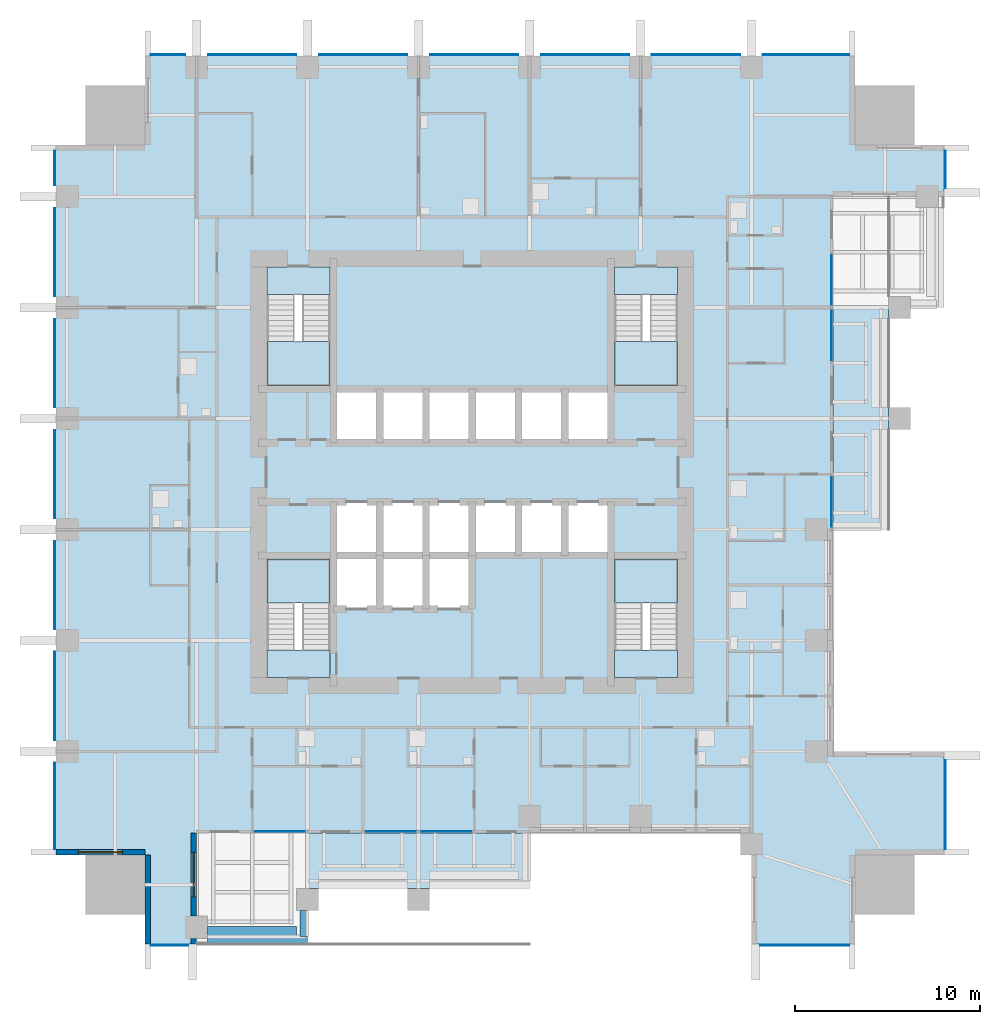
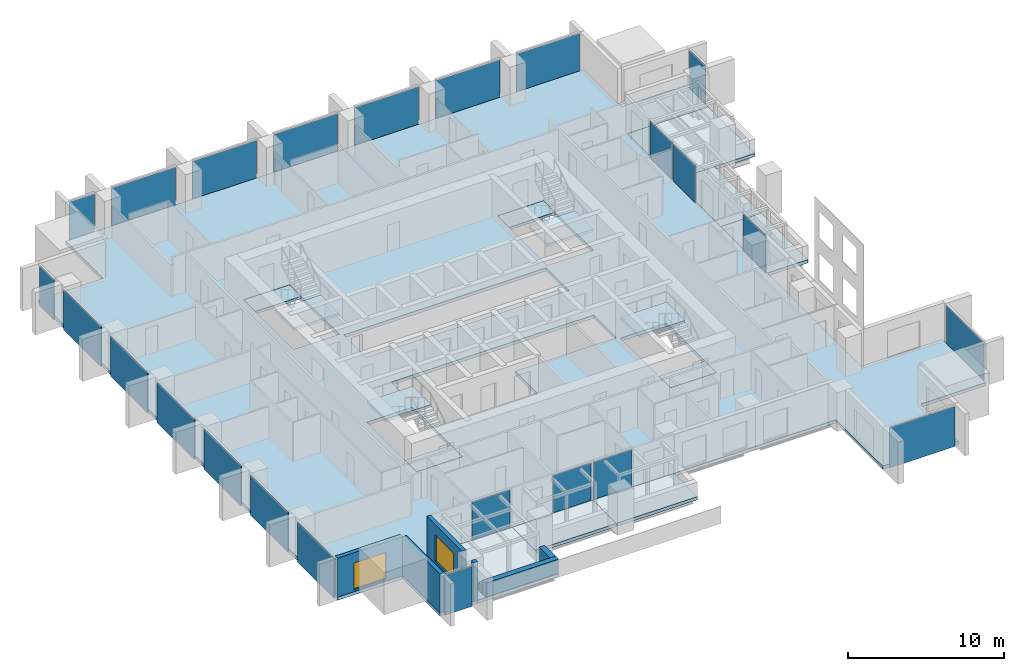
# One storey, part 6 of 15: 24 plates, 15 slabs, 7 walls, 2 windows, 2 openings, 16 elements without a shape of their own.
"""IFC4 building model written with IfcOpenShell, lengths in metres."""

import ifcopenshell
import ifcopenshell.guid

model = None  # the IFC model being written
_history = None  # IfcOwnerHistory: only IFC2X3 demands one
_inside = {}  # id of a spatial element -> (the spatial element, [elements in it])
_under = {}  # id of a project, library or spatial element -> (it, [spatial elements below it])
_declared = {}  # id of a project -> (the project, [libraries it declares])
_typed = {}  # id of a type object -> (the type object, [elements of that type])
_made_of = {}  # id of a material, layer set ... -> (it, [elements and type objects made of it])


def new_model(schema):
    """Start an empty IFC model of exactly this schema.

    Asked for "IFC4X3", IfcOpenShell would pick the latest addendum, in which some entities
    have other attributes; the version numbers below select the first issue.
    IFC2X3 requires an IfcOwnerHistory on every rooted entity: one is made here for all.
    """
    global model, _history
    if schema == "IFC4X3":
        model = ifcopenshell.file(schema_version=(4, 3, 0, 0))
    else:
        model = ifcopenshell.file(schema=schema)
    _inside.clear()
    _under.clear()
    _declared.clear()
    _typed.clear()
    _made_of.clear()
    _history = None
    if model.schema == "IFC2X3":
        org = make("IfcOrganization", Name="unknown")
        user = make(
            "IfcPersonAndOrganization",
            ThePerson=make("IfcPerson", FamilyName="unknown"),
            TheOrganization=org,
        )
        app = make(
            "IfcApplication",
            ApplicationDeveloper=org,
            Version="unknown",
            ApplicationFullName="unknown",
            ApplicationIdentifier="unknown",
        )
        _history = make(
            "IfcOwnerHistory",
            OwningUser=user,
            OwningApplication=app,
            ChangeAction="ADDED",
            CreationDate=0,
        )
    return model


def make(cls, **values):
    """One entity of the class cls with the attributes given. An attribute that is None is left unset."""
    return model.create_entity(
        cls, **{name: value for name, value in values.items() if value is not None}
    )


def rooted(cls, **values):
    """An entity with a GlobalId (a new one), such as an element, a storey or a relation."""
    return make(cls, GlobalId=ifcopenshell.guid.new(), OwnerHistory=_history, **values)


def si_unit(unit_type, name, prefix=None):
    """IfcSIUnit, for example si_unit("LENGTHUNIT", "METRE", prefix="MILLI")."""
    return make("IfcSIUnit", UnitType=unit_type, Prefix=prefix, Name=name)


def assignment(units):
    """IfcUnitAssignment: the units of a project."""
    return None if units is None else make("IfcUnitAssignment", Units=units)


def point(xyz):
    """IfcCartesianPoint."""
    return None if xyz is None else make("IfcCartesianPoint", Coordinates=xyz)


def direction(xyz):
    """IfcDirection."""
    return None if xyz is None else make("IfcDirection", DirectionRatios=xyz)


def frame(location, z_axis=None, x_axis=None):
    """IfcAxis2Placement3D, a coordinate frame: its origin and axes. An axis left out is left unset."""
    return make(
        "IfcAxis2Placement3D",
        Location=point(location),
        Axis=direction(z_axis),
        RefDirection=direction(x_axis),
    )


def frame_2d(location, x_axis=None):
    """IfcAxis2Placement2D, a coordinate frame in the plane: its origin and x axis."""
    return make(
        "IfcAxis2Placement2D", Location=point(location), RefDirection=direction(x_axis)
    )


def origin():
    """The frame at (0, 0, 0) with its axes left unset."""
    return frame((0.0, 0.0, 0.0))


def origin_2d():
    """The frame at (0, 0) in the plane with its x axis left unset."""
    return frame_2d((0.0, 0.0))


def place(relative_to, where):
    """IfcLocalPlacement: puts the frame where relative to a parent placement (None: the world)."""
    return make(
        "IfcLocalPlacement", PlacementRelTo=relative_to, RelativePlacement=where
    )


def context(
    kind, dimensions, precision=None, world=None, true_north=None, identifier=None
):
    """IfcGeometricRepresentationContext, for example the 3D "Model" context."""
    return make(
        "IfcGeometricRepresentationContext",
        ContextIdentifier=identifier,
        ContextType=kind,
        CoordinateSpaceDimension=dimensions,
        Precision=precision,
        WorldCoordinateSystem=world,
        TrueNorth=true_north,
    )


def subcontext(parent, identifier, kind, view, scale=None):
    """IfcGeometricRepresentationSubContext, for example "Body" below "Model"."""
    return make(
        "IfcGeometricRepresentationSubContext",
        ContextIdentifier=identifier,
        ContextType=kind,
        ParentContext=parent,
        TargetScale=scale,
        TargetView=view,
    )


def project(units=None, contexts=None):
    """IfcProject with its units and contexts."""
    return rooted(
        "IfcProject",
        Name="project",
        RepresentationContexts=contexts,
        UnitsInContext=assignment(units),
    )


def spatial(cls, under=None, at=None, **own):
    """A site, building, storey or space (cls), placed at a placement, below another one or the project."""
    s = rooted(cls, ObjectPlacement=at, **own)
    if under is not None:
        _under.setdefault(under.id(), (under, []))[1].append(s)
    return s


def polyline(points):
    """IfcPolyline through the points."""
    return make("IfcPolyline", Points=[point(p) for p in points])


def profile(cls, at=None, kind="AREA", **sizes):
    """A parametric profile (cls). Its sizes go by their IFC names, for example OverallWidth=200.0."""
    return make(cls, ProfileType=kind, Position=at, **sizes)


def rectangle(**sizes):
    """IfcRectangleProfileDef."""
    return profile("IfcRectangleProfileDef", **sizes)


def outline(outer, holes=None, kind="AREA"):
    """IfcArbitraryClosedProfileDef: a profile drawn as a closed curve; with holes, ...WithVoids."""
    if holes is None:
        return make("IfcArbitraryClosedProfileDef", ProfileType=kind, OuterCurve=outer)
    return make(
        "IfcArbitraryProfileDefWithVoids",
        ProfileType=kind,
        OuterCurve=outer,
        InnerCurves=holes,
    )


def extrude(swept, where, along, depth):
    """IfcExtrudedAreaSolid: the profile swept, set in the frame where, extruded along a direction by depth."""
    return make(
        "IfcExtrudedAreaSolid",
        SweptArea=swept,
        Position=where,
        ExtrudedDirection=direction(along),
        Depth=depth,
    )


def shape(context_of_items, identifier, shape_type, items):
    """IfcShapeRepresentation: the items that make up one representation, for example the "Body"."""
    return make(
        "IfcShapeRepresentation",
        ContextOfItems=context_of_items,
        RepresentationIdentifier=identifier,
        RepresentationType=shape_type,
        Items=items,
    )


def material(Name=None, Category=None):
    """IfcMaterial."""
    return make("IfcMaterial", Name=Name, Category=Category)


def layer(
    of_material, thickness, ventilated=None, Name=None, Category=None, Priority=None
):
    """IfcMaterialLayer: one layer of a wall or slab, of a material (None: an air gap)."""
    return make(
        "IfcMaterialLayer",
        Material=of_material,
        LayerThickness=thickness,
        IsVentilated=ventilated,
        Name=Name,
        Category=Category,
        Priority=Priority,
    )


def layer_set(layers, Name=None):
    """IfcMaterialLayerSet."""
    return make("IfcMaterialLayerSet", MaterialLayers=layers, LayerSetName=Name)


def made_of(thing, what):
    """Note that an element or type object is made of a material, layer set ...; save() writes the relation."""
    if what is not None:
        _made_of.setdefault(what.id(), (what, []))[1].append(thing)
    return thing


def type_object(cls, material=None, **own):
    """A type object (cls), such as IfcWallType, which elements share."""
    return made_of(rooted(cls, **own), material)


def element(
    cls,
    number,
    at=None,
    inside=None,
    cuts=None,
    type_object=None,
    material=None,
    context=None,
    identifier="Body",
    shape_type=None,
    held_by="IfcProductDefinitionShape",
    body=None,
    shapes=None,
    **own,
):
    """One element of the class cls, such as IfcWall. Its Tag is "e" and its number.

    at: its placement. inside: the storey or other place that contains it. cuts: it is an
    opening in that element (IfcRelVoidsElement). A single representation is given by context,
    identifier, shape_type and body (its items); several are given by shapes. held_by: the class
    of the entity that holds the representations. save() writes the other relations.
    """
    e = rooted(cls, Tag="e%d" % number, ObjectPlacement=at, **own)
    if body is not None:
        shapes = [shape(context, identifier, shape_type, body)]
    if shapes is not None:
        e.Representation = make(held_by, Representations=shapes)
    if inside is not None:
        _inside.setdefault(inside.id(), (inside, []))[1].append(e)
    if cuts is not None:
        rooted(
            "IfcRelVoidsElement", RelatingBuildingElement=cuts, RelatedOpeningElement=e
        )
    if type_object is not None:
        _typed.setdefault(type_object.id(), (type_object, []))[1].append(e)
    return made_of(e, material)


def fill(opening, filler):
    """IfcRelFillsElement: the door or window that sits in an opening."""
    return rooted(
        "IfcRelFillsElement",
        RelatingOpeningElement=opening,
        RelatedBuildingElement=filler,
    )


def aggregate(whole, parts):
    """IfcRelAggregates: a whole, such as a stair, and the parts it consists of."""
    return rooted("IfcRelAggregates", RelatingObject=whole, RelatedObjects=parts)


def save(model, path):
    """Write the relations noted so far, then the file.

    IfcRelAggregates (storeys below a building ...), IfcRelContainedInSpatialStructure (elements
    in a storey), IfcRelDefinesByType, IfcRelAssociatesMaterial and IfcRelDeclares: one each for
    every whole, place, type object, material and project.
    """
    for whole, parts in _under.values():
        aggregate(whole, parts)
    for where, things in _inside.values():
        rooted(
            "IfcRelContainedInSpatialStructure",
            RelatedElements=things,
            RelatingStructure=where,
        )
    for kind, things in _typed.values():
        rooted("IfcRelDefinesByType", RelatedObjects=things, RelatingType=kind)
    for what, things in _made_of.values():
        rooted("IfcRelAssociatesMaterial", RelatedObjects=things, RelatingMaterial=what)
    for by, libraries in _declared.values():
        rooted("IfcRelDeclares", RelatingContext=by, RelatedDefinitions=libraries)
    model.write(path)


model = new_model("IFC4")

# Units and contexts
model_context = context("Model", 3, precision=1e-05, world=origin(), true_north=direction((0.0, 1.0)))
body_context = subcontext(model_context, "Body", "Model", "MODEL_VIEW")
ifc_project = project(units=[si_unit("LENGTHUNIT", "METRE"), si_unit("AREAUNIT", "SQUARE_METRE"), si_unit("VOLUMEUNIT", "CUBIC_METRE"), si_unit("PLANEANGLEUNIT", "RADIAN"), si_unit("MASSUNIT", "GRAM", prefix="KILO")], contexts=[model_context])

# Site, building, storey
site_placement = place(None, origin())
site = spatial("IfcSite", under=ifc_project, at=site_placement, CompositionType="ELEMENT")
building_placement = place(site_placement, origin())
building = spatial("IfcBuilding", under=site, at=building_placement, Name="Amberfall Residences", CompositionType="ELEMENT")
storey_placement = place(building_placement, frame((0.0, 0.0, 53.199951171875)))
storey = spatial("IfcBuildingStorey", under=building, at=storey_placement, Name="L14", CompositionType="ELEMENT", Elevation=53.199951171875)

# Curtain wall, plate
ifc_material_1 = material(Name="Bronze anodised aluminium and glass", Category="aluminium")
curtain_wall_type_1 = type_object("IfcCurtainWallType", Name="Curtain wall CW1 tower unit", PredefinedType="USERDEFINED", material=ifc_material_1)
curtain_wall_1_placement = place(storey_placement, origin())
curtain_wall_1 = element("IfcCurtainWall", 1, at=curtain_wall_1_placement, inside=storey, type_object=curtain_wall_type_1, Name="Curtain wall L14 S S1", ObjectType="UNITISED CURTAIN WALL", PredefinedType="USERDEFINED")
ifc_material_2 = material(Name="Tinted double glazed unit", Category="glass")
ifc_layer_1 = layer(ifc_material_2, 0.035888671875)
ifc_layer_set_1 = layer_set([ifc_layer_1], Name="CW1 panel 36 glazing")
plate_type_1 = type_object("IfcPlateType", Name="CW1 panel 36 glazing", PredefinedType="CURTAIN_PANEL", material=ifc_layer_set_1)
plate_1_placement = place(storey_placement, frame((58.125, 19.925048828125, -0.25), z_axis=(0.0, 0.0, 1.0), x_axis=(1.0, 0.0, 0.0)))
plate_1 = element("IfcPlate", 2, at=plate_1_placement, type_object=plate_type_1, Name="CW1 panel 1.1", PredefinedType="CURTAIN_PANEL", context=body_context, shape_type="SweptSolid", body=[
    extrude(rectangle(XDim=2.02587890625, YDim=0.035888671875, at=origin_2d()), origin(), (0.0, 0.0, 1.0), 3.14990234375),
])
aggregate(curtain_wall_1, [plate_1])

curtain_wall_2_placement = place(storey_placement, origin())
curtain_wall_2 = element("IfcCurtainWall", 3, at=curtain_wall_2_placement, inside=storey, type_object=curtain_wall_type_1, Name="Curtain wall L14 S S9", ObjectType="UNITISED CURTAIN WALL", PredefinedType="USERDEFINED")
plate_2_placement = place(storey_placement, frame((92.47509765625, 19.925048828125, -0.25), z_axis=(0.0, 0.0, 1.0), x_axis=(1.0, 0.0, 0.0)))
plate_2 = element("IfcPlate", 4, at=plate_2_placement, type_object=plate_type_1, Name="CW1 panel 1.1", PredefinedType="CURTAIN_PANEL", context=body_context, shape_type="SweptSolid", body=[
    extrude(rectangle(XDim=4.825927734375, YDim=0.035888671875, at=origin_2d()), origin(), (0.0, 0.0, 1.0), 3.14990234375),
])
aggregate(curtain_wall_2, [plate_2])

curtain_wall_3_placement = place(storey_placement, origin())
curtain_wall_3 = element("IfcCurtainWall", 5, at=curtain_wall_3_placement, inside=storey, type_object=curtain_wall_type_1, Name="Curtain wall L14 E E1", ObjectType="UNITISED CURTAIN WALL", PredefinedType="USERDEFINED")
plate_3_placement = place(storey_placement, frame((100.074951171875, 27.52490234375, -0.25), z_axis=(0.0, 0.0, 1.0), x_axis=(0.0, 1.0, 0.0)))
plate_3 = element("IfcPlate", 6, at=plate_3_placement, type_object=plate_type_1, Name="CW1 panel 1.1", PredefinedType="CURTAIN_PANEL", context=body_context, shape_type="SweptSolid", body=[
    extrude(rectangle(XDim=4.825927734375, YDim=0.035888671875, at=origin_2d()), origin(), (0.0, 0.0, 1.0), 3.14990234375),
])
aggregate(curtain_wall_3, [plate_3])

curtain_wall_4_placement = place(storey_placement, origin())
curtain_wall_4 = element("IfcCurtainWall", 7, at=curtain_wall_4_placement, inside=storey, type_object=curtain_wall_type_1, Name="Curtain wall L14 E E9", ObjectType="UNITISED CURTAIN WALL", PredefinedType="USERDEFINED")
plate_4_placement = place(storey_placement, frame((100.074951171875, 61.875, -0.25), z_axis=(0.0, 0.0, 1.0), x_axis=(0.0, 1.0, 0.0)))
plate_4 = element("IfcPlate", 8, at=plate_4_placement, type_object=plate_type_1, Name="CW1 panel 1.1", PredefinedType="CURTAIN_PANEL", context=body_context, shape_type="SweptSolid", body=[
    extrude(rectangle(XDim=2.02587890625, YDim=0.035888671875, at=origin_2d()), origin(), (0.0, 0.0, 1.0), 3.14990234375),
])
aggregate(curtain_wall_4, [plate_4])

# Curtain wall, plates
curtain_wall_5_placement = place(storey_placement, origin())
curtain_wall_5 = element("IfcCurtainWall", 9, at=curtain_wall_5_placement, inside=storey, type_object=curtain_wall_type_1, Name="Curtain wall L14 N N1", ObjectType="UNITISED CURTAIN WALL", PredefinedType="USERDEFINED")
plate_5_placement = place(storey_placement, frame((92.552490234375, 68.074951171875, -0.25), z_axis=(0.0, 0.0, 1.0), x_axis=(-1.0, 0.0, 0.0)))
plate_5 = element("IfcPlate", 10, at=plate_5_placement, type_object=plate_type_1, Name="CW1 panel 1.1", PredefinedType="CURTAIN_PANEL", context=body_context, shape_type="SweptSolid", body=[
    extrude(rectangle(XDim=4.6708984375, YDim=0.035888671875, at=origin_2d()), origin(), (0.0, 0.0, 1.0), 3.14990234375),
])
plate_6_placement = place(storey_placement, frame((86.60009765625, 68.074951171875, -0.25), z_axis=(0.0, 0.0, 1.0), x_axis=(-1.0, 0.0, 0.0)))
plate_6 = element("IfcPlate", 11, at=plate_6_placement, type_object=plate_type_1, Name="CW1 panel 2.1", PredefinedType="CURTAIN_PANEL", context=body_context, shape_type="SweptSolid", body=[
    extrude(rectangle(XDim=4.76611328125, YDim=0.035888671875, at=origin_2d()), origin(), (0.0, 0.0, 1.0), 3.14990234375),
])
plate_7_placement = place(storey_placement, frame((80.60009765625, 68.074951171875, -0.25), z_axis=(0.0, 0.0, 1.0), x_axis=(-1.0, 0.0, 0.0)))
plate_7 = element("IfcPlate", 12, at=plate_7_placement, type_object=plate_type_1, Name="CW1 panel 3.1", PredefinedType="CURTAIN_PANEL", context=body_context, shape_type="SweptSolid", body=[
    extrude(rectangle(XDim=4.76611328125, YDim=0.035888671875, at=origin_2d()), origin(), (0.0, 0.0, 1.0), 3.14990234375),
])
plate_8_placement = place(storey_placement, frame((74.60009765625, 68.074951171875, -0.25), z_axis=(0.0, 0.0, 1.0), x_axis=(-1.0, 0.0, 0.0)))
plate_8 = element("IfcPlate", 13, at=plate_8_placement, type_object=plate_type_1, Name="CW1 panel 4.1", PredefinedType="CURTAIN_PANEL", context=body_context, shape_type="SweptSolid", body=[
    extrude(rectangle(XDim=4.76611328125, YDim=0.035888671875, at=origin_2d()), origin(), (0.0, 0.0, 1.0), 3.14990234375),
])
plate_9_placement = place(storey_placement, frame((68.60009765625, 68.074951171875, -0.25), z_axis=(0.0, 0.0, 1.0), x_axis=(-1.0, 0.0, 0.0)))
plate_9 = element("IfcPlate", 14, at=plate_9_placement, type_object=plate_type_1, Name="CW1 panel 5.1", PredefinedType="CURTAIN_PANEL", context=body_context, shape_type="SweptSolid", body=[
    extrude(rectangle(XDim=4.76611328125, YDim=0.035888671875, at=origin_2d()), origin(), (0.0, 0.0, 1.0), 3.14990234375),
])
plate_10_placement = place(storey_placement, frame((62.60009765625, 68.074951171875, -0.25), z_axis=(0.0, 0.0, 1.0), x_axis=(-1.0, 0.0, 0.0)))
plate_10 = element("IfcPlate", 15, at=plate_10_placement, type_object=plate_type_1, Name="CW1 panel 6.1", PredefinedType="CURTAIN_PANEL", context=body_context, shape_type="SweptSolid", body=[
    extrude(rectangle(XDim=4.76611328125, YDim=0.035888671875, at=origin_2d()), origin(), (0.0, 0.0, 1.0), 3.14990234375),
])
plate_11_placement = place(storey_placement, frame((58.047607421875, 68.074951171875, -0.25), z_axis=(0.0, 0.0, 1.0), x_axis=(-1.0, 0.0, 0.0)))
plate_11 = element("IfcPlate", 16, at=plate_11_placement, type_object=plate_type_1, Name="CW1 panel 7.1", PredefinedType="CURTAIN_PANEL", context=body_context, shape_type="SweptSolid", body=[
    extrude(rectangle(XDim=1.87109375, YDim=0.035888671875, at=origin_2d()), origin(), (0.0, 0.0, 1.0), 3.14990234375),
])
aggregate(curtain_wall_5, [plate_5, plate_6, plate_7, plate_8, plate_9, plate_10, plate_11])

curtain_wall_6_placement = place(storey_placement, origin())
curtain_wall_6 = element("IfcCurtainWall", 17, at=curtain_wall_6_placement, inside=storey, type_object=curtain_wall_type_1, Name="Curtain wall L14 W W1", ObjectType="UNITISED CURTAIN WALL", PredefinedType="USERDEFINED")
plate_12_placement = place(storey_placement, frame((51.925048828125, 61.952392578125, -0.25), z_axis=(0.0, 0.0, 1.0), x_axis=(0.0, -1.0, 0.0)))
plate_12 = element("IfcPlate", 18, at=plate_12_placement, type_object=plate_type_1, Name="CW1 panel 1.1", PredefinedType="CURTAIN_PANEL", context=body_context, shape_type="SweptSolid", body=[
    extrude(rectangle(XDim=1.87109375, YDim=0.035888671875, at=origin_2d()), origin(), (0.0, 0.0, 1.0), 3.14990234375),
])
plate_13_placement = place(storey_placement, frame((51.925048828125, 57.39990234375, -0.25), z_axis=(0.0, 0.0, 1.0), x_axis=(0.0, -1.0, 0.0)))
plate_13 = element("IfcPlate", 19, at=plate_13_placement, type_object=plate_type_1, Name="CW1 panel 2.1", PredefinedType="CURTAIN_PANEL", context=body_context, shape_type="SweptSolid", body=[
    extrude(rectangle(XDim=4.76611328125, YDim=0.035888671875, at=origin_2d()), origin(), (0.0, 0.0, 1.0), 3.14990234375),
])
plate_14_placement = place(storey_placement, frame((51.925048828125, 51.39990234375, -0.25), z_axis=(0.0, 0.0, 1.0), x_axis=(0.0, -1.0, 0.0)))
plate_14 = element("IfcPlate", 20, at=plate_14_placement, type_object=plate_type_1, Name="CW1 panel 3.1", PredefinedType="CURTAIN_PANEL", context=body_context, shape_type="SweptSolid", body=[
    extrude(rectangle(XDim=4.76611328125, YDim=0.035888671875, at=origin_2d()), origin(), (0.0, 0.0, 1.0), 3.14990234375),
])
plate_15_placement = place(storey_placement, frame((51.925048828125, 45.39990234375, -0.25), z_axis=(0.0, 0.0, 1.0), x_axis=(0.0, -1.0, 0.0)))
plate_15 = element("IfcPlate", 21, at=plate_15_placement, type_object=plate_type_1, Name="CW1 panel 4.1", PredefinedType="CURTAIN_PANEL", context=body_context, shape_type="SweptSolid", body=[
    extrude(rectangle(XDim=4.76611328125, YDim=0.035888671875, at=origin_2d()), origin(), (0.0, 0.0, 1.0), 3.14990234375),
])
plate_16_placement = place(storey_placement, frame((51.925048828125, 39.39990234375, -0.25), z_axis=(0.0, 0.0, 1.0), x_axis=(0.0, -1.0, 0.0)))
plate_16 = element("IfcPlate", 22, at=plate_16_placement, type_object=plate_type_1, Name="CW1 panel 5.1", PredefinedType="CURTAIN_PANEL", context=body_context, shape_type="SweptSolid", body=[
    extrude(rectangle(XDim=4.76611328125, YDim=0.035888671875, at=origin_2d()), origin(), (0.0, 0.0, 1.0), 3.14990234375),
])
plate_17_placement = place(storey_placement, frame((51.925048828125, 33.39990234375, -0.25), z_axis=(0.0, 0.0, 1.0), x_axis=(0.0, -1.0, 0.0)))
plate_17 = element("IfcPlate", 23, at=plate_17_placement, type_object=plate_type_1, Name="CW1 panel 6.1", PredefinedType="CURTAIN_PANEL", context=body_context, shape_type="SweptSolid", body=[
    extrude(rectangle(XDim=4.76611328125, YDim=0.035888671875, at=origin_2d()), origin(), (0.0, 0.0, 1.0), 3.14990234375),
])
plate_18_placement = place(storey_placement, frame((51.925048828125, 27.447509765625, -0.25), z_axis=(0.0, 0.0, 1.0), x_axis=(0.0, -1.0, 0.0)))
plate_18 = element("IfcPlate", 24, at=plate_18_placement, type_object=plate_type_1, Name="CW1 panel 7.1", PredefinedType="CURTAIN_PANEL", context=body_context, shape_type="SweptSolid", body=[
    extrude(rectangle(XDim=4.6708984375, YDim=0.035888671875, at=origin_2d()), origin(), (0.0, 0.0, 1.0), 3.14990234375),
])
aggregate(curtain_wall_6, [plate_12, plate_13, plate_14, plate_15, plate_16, plate_17, plate_18])

# Curtain wall, plate
curtain_wall_type_2 = type_object("IfcCurtainWallType", Name="Curtain wall CW3 sky garden glazing", PredefinedType="USERDEFINED", material=ifc_material_1)
curtain_wall_7_placement = place(storey_placement, origin())
curtain_wall_7 = element("IfcCurtainWall", 25, at=curtain_wall_7_placement, inside=storey, type_object=curtain_wall_type_2, Name="Curtain wall L14 S S3", ObjectType="UNITISED CURTAIN WALL", PredefinedType="USERDEFINED")
ifc_material_3 = material(Name="Tinted laminated double glazed unit", Category="glass")
ifc_layer_2 = layer(ifc_material_3, 0.0439453125)
ifc_layer_set_2 = layer_set([ifc_layer_2], Name="CW3 panel 44 glazing")
plate_type_2 = type_object("IfcPlateType", Name="CW3 panel 44 glazing", PredefinedType="CURTAIN_PANEL", material=ifc_layer_set_2)
plate_19_placement = place(storey_placement, frame((64.10009765625, 26.074951171875, 0.0), z_axis=(0.0, 0.0, 1.0), x_axis=(1.0, 0.0, 0.0)))
plate_19 = element("IfcPlate", 26, at=plate_19_placement, type_object=plate_type_2, Name="CW3 panel 1.1", PredefinedType="CURTAIN_PANEL", context=body_context, shape_type="SweptSolid", body=[
    extrude(rectangle(XDim=2.77587890625, YDim=0.0439453125, at=origin_2d()), origin(), (0.0, 0.0, 1.0), 2.89990234375),
])
aggregate(curtain_wall_7, [plate_19])

curtain_wall_8_placement = place(storey_placement, origin())
curtain_wall_8 = element("IfcCurtainWall", 27, at=curtain_wall_8_placement, inside=storey, type_object=curtain_wall_type_2, Name="Curtain wall L14 S S4", ObjectType="UNITISED CURTAIN WALL", PredefinedType="USERDEFINED")
plate_20_placement = place(storey_placement, frame((70.10009765625, 26.074951171875, 0.0), z_axis=(0.0, 0.0, 1.0), x_axis=(1.0, 0.0, 0.0)))
plate_20 = element("IfcPlate", 28, at=plate_20_placement, type_object=plate_type_2, Name="CW3 panel 1.1", PredefinedType="CURTAIN_PANEL", context=body_context, shape_type="SweptSolid", body=[
    extrude(rectangle(XDim=2.77587890625, YDim=0.0439453125, at=origin_2d()), origin(), (0.0, 0.0, 1.0), 2.89990234375),
])
aggregate(curtain_wall_8, [plate_20])

curtain_wall_9_placement = place(storey_placement, origin())
curtain_wall_9 = element("IfcCurtainWall", 29, at=curtain_wall_9_placement, inside=storey, type_object=curtain_wall_type_2, Name="Curtain wall L14 S S5", ObjectType="UNITISED CURTAIN WALL", PredefinedType="USERDEFINED")
plate_21_placement = place(storey_placement, frame((73.10009765625, 26.074951171875, 0.0), z_axis=(0.0, 0.0, 1.0), x_axis=(1.0, 0.0, 0.0)))
plate_21 = element("IfcPlate", 30, at=plate_21_placement, type_object=plate_type_2, Name="CW3 panel 1.1", PredefinedType="CURTAIN_PANEL", context=body_context, shape_type="SweptSolid", body=[
    extrude(rectangle(XDim=2.77587890625, YDim=0.0439453125, at=origin_2d()), origin(), (0.0, 0.0, 1.0), 2.89990234375),
])
aggregate(curtain_wall_9, [plate_21])

curtain_wall_10_placement = place(storey_placement, origin())
curtain_wall_10 = element("IfcCurtainWall", 31, at=curtain_wall_10_placement, inside=storey, type_object=curtain_wall_type_2, Name="Curtain wall L14 E E5", ObjectType="UNITISED CURTAIN WALL", PredefinedType="USERDEFINED")
plate_22_placement = place(storey_placement, frame((93.925048828125, 43.89990234375, 0.0), z_axis=(0.0, 0.0, 1.0), x_axis=(0.0, 1.0, 0.0)))
plate_22 = element("IfcPlate", 32, at=plate_22_placement, type_object=plate_type_2, Name="CW3 panel 1.1", PredefinedType="CURTAIN_PANEL", context=body_context, shape_type="SweptSolid", body=[
    extrude(rectangle(XDim=2.77587890625, YDim=0.0439453125, at=origin_2d()), origin(), (0.0, 0.0, 1.0), 2.89990234375),
])
aggregate(curtain_wall_10, [plate_22])

curtain_wall_11_placement = place(storey_placement, origin())
curtain_wall_11 = element("IfcCurtainWall", 33, at=curtain_wall_11_placement, inside=storey, type_object=curtain_wall_type_2, Name="Curtain wall L14 E E6", ObjectType="UNITISED CURTAIN WALL", PredefinedType="USERDEFINED")
plate_23_placement = place(storey_placement, frame((93.925048828125, 52.89990234375, 0.0), z_axis=(0.0, 0.0, 1.0), x_axis=(0.0, 1.0, 0.0)))
plate_23 = element("IfcPlate", 34, at=plate_23_placement, type_object=plate_type_2, Name="CW3 panel 1.1", PredefinedType="CURTAIN_PANEL", context=body_context, shape_type="SweptSolid", body=[
    extrude(rectangle(XDim=2.77587890625, YDim=0.0439453125, at=origin_2d()), origin(), (0.0, 0.0, 1.0), 2.89990234375),
])
aggregate(curtain_wall_11, [plate_23])

curtain_wall_12_placement = place(storey_placement, origin())
curtain_wall_12 = element("IfcCurtainWall", 35, at=curtain_wall_12_placement, inside=storey, type_object=curtain_wall_type_2, Name="Curtain wall L14 E E7", ObjectType="UNITISED CURTAIN WALL", PredefinedType="USERDEFINED")
plate_24_placement = place(storey_placement, frame((93.925048828125, 55.89990234375, 0.0), z_axis=(0.0, 0.0, 1.0), x_axis=(0.0, 1.0, 0.0)))
plate_24 = element("IfcPlate", 36, at=plate_24_placement, type_object=plate_type_2, Name="CW3 panel 1.1", PredefinedType="CURTAIN_PANEL", context=body_context, shape_type="SweptSolid", body=[
    extrude(rectangle(XDim=2.77587890625, YDim=0.0439453125, at=origin_2d()), origin(), (0.0, 0.0, 1.0), 2.89990234375),
])
aggregate(curtain_wall_12, [plate_24])

# Slabs
ifc_material_4 = material(Name="Concrete C80", Category="concrete")
ifc_layer_3 = layer(ifc_material_4, 0.25)
ifc_layer_set_3 = layer_set([ifc_layer_3], Name="Floor slab 250 C80")
slab_type_1 = type_object("IfcSlabType", Name="Floor slab 250 C80", PredefinedType="FLOOR", material=ifc_layer_set_3)
slab_1_placement = place(storey_placement, frame((0.0, 0.0, -0.25)))
element("IfcSlab", 37, at=slab_1_placement, inside=storey, type_object=slab_type_1, Name="Floor slab S3 L14", PredefinedType="FLOOR", context=body_context, shape_type="SweptSolid", body=[
    extrude(outline(polyline([(89.60009765625, 20.0), (89.60009765625, 26.0), (83.60009765625, 26.0), (77.60009765625, 26.0), (71.60009765625, 26.0), (65.60009765625, 26.0), (59.60009765625, 26.0), (59.60009765625, 20.0), (56.800048828125, 20.0), (56.800048828125, 24.800048828125), (52.0, 24.800048828125), (52.0, 63.199951171875), (56.800048828125, 63.199951171875), (56.800048828125, 68.0), (95.199951171875, 68.0), (95.199951171875, 63.199951171875), (100.0, 63.199951171875), (100.0, 60.39990234375), (94.0, 60.39990234375), (94.0, 54.39990234375), (94.0, 48.39990234375), (94.0, 42.39990234375), (94.0, 36.39990234375), (94.0, 30.39990234375), (100.0, 30.39990234375), (100.0, 24.800048828125), (95.199951171875, 24.800048828125), (95.199951171875, 20.0), (89.60009765625, 20.0)]), holes=[polyline([(85.60009765625, 34.39990234375), (85.60009765625, 40.800048828125), (82.199951171875, 40.800048828125), (82.199951171875, 34.39990234375), (85.60009765625, 34.39990234375)]), polyline([(82.199951171875, 50.199951171875), (85.60009765625, 50.199951171875), (85.60009765625, 56.60009765625), (82.199951171875, 56.60009765625), (82.199951171875, 50.199951171875)]), polyline([(69.5, 50.0), (67.0, 50.0), (67.0, 47.10009765625), (69.5, 47.10009765625), (72.0, 47.10009765625), (74.5, 47.10009765625), (77.0, 47.10009765625), (79.5, 47.10009765625), (82.0, 47.10009765625), (82.0, 50.0), (79.5, 50.0), (77.0, 50.0), (74.5, 50.0), (72.0, 50.0), (69.5, 50.0)]), polyline([(74.5, 41.0), (77.0, 41.0), (79.5, 41.0), (82.0, 41.0), (82.0, 43.89990234375), (79.5, 43.89990234375), (77.0, 43.89990234375), (74.5, 43.89990234375), (72.0, 43.89990234375), (69.5, 43.89990234375), (67.0, 43.89990234375), (67.0, 41.0), (67.0, 38.10009765625), (69.5, 38.10009765625), (72.0, 38.10009765625), (74.5, 38.10009765625), (74.5, 41.0)]), polyline([(66.800048828125, 34.39990234375), (66.800048828125, 40.800048828125), (63.39990234375, 40.800048828125), (63.39990234375, 34.39990234375), (66.800048828125, 34.39990234375)]), polyline([(66.800048828125, 50.199951171875), (66.800048828125, 56.60009765625), (63.39990234375, 56.60009765625), (63.39990234375, 50.199951171875), (66.800048828125, 50.199951171875)])]), origin(), (0.0, 0.0, 1.0), 0.25),
])
ifc_layer_4 = layer(ifc_material_4, 0.25)
ifc_layer_set_4 = layer_set([ifc_layer_4], Name="Garden terrace slab 250 C80")
slab_type_2 = type_object("IfcSlabType", Name="Garden terrace slab 250 C80", PredefinedType="FLOOR", material=ifc_layer_set_4)
slab_2_placement = place(storey_placement, frame((0.0, 0.0, -0.25)))
element("IfcSlab", 38, at=slab_2_placement, inside=storey, type_object=slab_type_2, Name="Terrace slab S5 L14 S1", PredefinedType="FLOOR", context=body_context, shape_type="SweptSolid", body=[
    extrude(outline(polyline([(65.60009765625, 20.0), (65.60009765625, 26.0), (59.60009765625, 26.0), (59.60009765625, 20.0), (65.60009765625, 20.0)])), origin(), (0.0, 0.0, 1.0), 0.25),
])
slab_3_placement = place(storey_placement, frame((0.0, 0.0, -0.25)))
element("IfcSlab", 39, at=slab_3_placement, inside=storey, type_object=slab_type_2, Name="Terrace slab S5 L14 S2", PredefinedType="FLOOR", context=body_context, shape_type="SweptSolid", body=[
    extrude(outline(polyline([(65.60009765625, 26.0), (71.60009765625, 26.0), (71.60009765625, 23.0), (65.60009765625, 23.0), (65.60009765625, 26.0)])), origin(), (0.0, 0.0, 1.0), 0.25),
])
slab_4_placement = place(storey_placement, frame((0.0, 0.0, -0.25)))
element("IfcSlab", 40, at=slab_4_placement, inside=storey, type_object=slab_type_2, Name="Terrace slab S5 L14 S3", PredefinedType="FLOOR", context=body_context, shape_type="SweptSolid", body=[
    extrude(outline(polyline([(71.60009765625, 26.0), (77.60009765625, 26.0), (77.60009765625, 23.0), (71.60009765625, 23.0), (71.60009765625, 26.0)])), origin(), (0.0, 0.0, 1.0), 0.25),
])
slab_5_placement = place(storey_placement, frame((0.0, 0.0, -0.25)))
element("IfcSlab", 41, at=slab_5_placement, inside=storey, type_object=slab_type_2, Name="Terrace slab S5 L14 E3", PredefinedType="FLOOR", context=body_context, shape_type="SweptSolid", body=[
    extrude(outline(polyline([(94.0, 42.39990234375), (94.0, 48.39990234375), (97.0, 48.39990234375), (97.0, 42.39990234375), (94.0, 42.39990234375)])), origin(), (0.0, 0.0, 1.0), 0.25),
])
slab_6_placement = place(storey_placement, frame((0.0, 0.0, -0.25)))
element("IfcSlab", 42, at=slab_6_placement, inside=storey, type_object=slab_type_2, Name="Terrace slab S5 L14 E4", PredefinedType="FLOOR", context=body_context, shape_type="SweptSolid", body=[
    extrude(outline(polyline([(94.0, 48.39990234375), (94.0, 54.39990234375), (97.0, 54.39990234375), (97.0, 48.39990234375), (94.0, 48.39990234375)])), origin(), (0.0, 0.0, 1.0), 0.25),
])
slab_7_placement = place(storey_placement, frame((0.0, 0.0, -0.25)))
element("IfcSlab", 43, at=slab_7_placement, inside=storey, type_object=slab_type_2, Name="Terrace slab S5 L14 E5", PredefinedType="FLOOR", context=body_context, shape_type="SweptSolid", body=[
    extrude(outline(polyline([(100.0, 54.39990234375), (100.0, 60.39990234375), (94.0, 60.39990234375), (94.0, 54.39990234375), (100.0, 54.39990234375)])), origin(), (0.0, 0.0, 1.0), 0.25),
])

# Stair, slabs
ifc_material_5 = material(Name="Concrete C40", Category="concrete")
stair_type = type_object("IfcStairType", Name="Exit stair 20 risers 165.0 mm", PredefinedType="HALF_TURN_STAIR", material=ifc_material_5)
stair_1_placement = place(storey_placement, origin())
stair_1 = element("IfcStair", 44, at=stair_1_placement, inside=storey, type_object=stair_type, Name="L14 Exit stair 1", PredefinedType="HALF_TURN_STAIR")
ifc_layer_5 = layer(ifc_material_5, 0.199951171875)
ifc_layer_set_5 = layer_set([ifc_layer_5], Name="Stair landing 200")
slab_type_3 = type_object("IfcSlabType", Name="Stair landing 200", PredefinedType="LANDING", material=ifc_layer_set_5)
slab_8_placement = place(storey_placement, frame((0.0, 0.0, 1.449951171875)))
slab_8 = element("IfcSlab", 45, at=slab_8_placement, type_object=slab_type_3, Name="ST3 landing 1", PredefinedType="LANDING", context=body_context, shape_type="SweptSolid", body=[
    extrude(outline(polyline([(66.800048828125, 38.419921875), (66.800048828125, 40.800048828125), (63.39990234375, 40.800048828125), (63.39990234375, 38.419921875), (66.800048828125, 38.419921875)])), origin(), (0.0, 0.0, 1.0), 0.2001953125),
])
slab_9_placement = place(storey_placement, frame((0.0, 0.0, -0.199951171875)))
slab_9 = element("IfcSlab", 46, at=slab_9_placement, type_object=slab_type_3, Name="ST3 landing 2", PredefinedType="LANDING", context=body_context, shape_type="SweptSolid", body=[
    extrude(outline(polyline([(66.800048828125, 34.39990234375), (66.800048828125, 35.89990234375), (63.39990234375, 35.89990234375), (63.39990234375, 34.39990234375), (66.800048828125, 34.39990234375)])), origin(), (0.0, 0.0, 1.0), 0.199951171875),
])
aggregate(stair_1, [slab_8, slab_9])

stair_2_placement = place(storey_placement, origin())
stair_2 = element("IfcStair", 47, at=stair_2_placement, inside=storey, type_object=stair_type, Name="L14 Exit stair 2", PredefinedType="HALF_TURN_STAIR")
slab_10_placement = place(storey_placement, frame((0.0, 0.0, 1.449951171875)))
slab_10 = element("IfcSlab", 48, at=slab_10_placement, type_object=slab_type_3, Name="ST3 landing 1", PredefinedType="LANDING", context=body_context, shape_type="SweptSolid", body=[
    extrude(outline(polyline([(85.60009765625, 38.419921875), (85.60009765625, 40.800048828125), (82.199951171875, 40.800048828125), (82.199951171875, 38.419921875), (85.60009765625, 38.419921875)])), origin(), (0.0, 0.0, 1.0), 0.2001953125),
])
slab_11_placement = place(storey_placement, frame((0.0, 0.0, -0.199951171875)))
slab_11 = element("IfcSlab", 49, at=slab_11_placement, type_object=slab_type_3, Name="ST3 landing 2", PredefinedType="LANDING", context=body_context, shape_type="SweptSolid", body=[
    extrude(outline(polyline([(85.60009765625, 34.39990234375), (85.60009765625, 35.89990234375), (82.199951171875, 35.89990234375), (82.199951171875, 34.39990234375), (85.60009765625, 34.39990234375)])), origin(), (0.0, 0.0, 1.0), 0.199951171875),
])
aggregate(stair_2, [slab_10, slab_11])

stair_3_placement = place(storey_placement, origin())
stair_3 = element("IfcStair", 50, at=stair_3_placement, inside=storey, type_object=stair_type, Name="L14 Exit stair 3", PredefinedType="HALF_TURN_STAIR")
slab_12_placement = place(storey_placement, frame((0.0, 0.0, 1.449951171875)))
slab_12 = element("IfcSlab", 51, at=slab_12_placement, type_object=slab_type_3, Name="ST3 landing 1", PredefinedType="LANDING", context=body_context, shape_type="SweptSolid", body=[
    extrude(outline(polyline([(82.199951171875, 52.580078125), (82.199951171875, 50.199951171875), (85.60009765625, 50.199951171875), (85.60009765625, 52.580078125), (82.199951171875, 52.580078125)])), origin(), (0.0, 0.0, 1.0), 0.2001953125),
])
slab_13_placement = place(storey_placement, frame((0.0, 0.0, -0.199951171875)))
slab_13 = element("IfcSlab", 52, at=slab_13_placement, type_object=slab_type_3, Name="ST3 landing 2", PredefinedType="LANDING", context=body_context, shape_type="SweptSolid", body=[
    extrude(outline(polyline([(82.199951171875, 56.60009765625), (82.199951171875, 55.10009765625), (85.60009765625, 55.10009765625), (85.60009765625, 56.60009765625), (82.199951171875, 56.60009765625)])), origin(), (0.0, 0.0, 1.0), 0.199951171875),
])
aggregate(stair_3, [slab_12, slab_13])

stair_4_placement = place(storey_placement, origin())
stair_4 = element("IfcStair", 53, at=stair_4_placement, inside=storey, type_object=stair_type, Name="L14 Exit stair 4", PredefinedType="HALF_TURN_STAIR")
slab_14_placement = place(storey_placement, frame((0.0, 0.0, 1.449951171875)))
slab_14 = element("IfcSlab", 54, at=slab_14_placement, type_object=slab_type_3, Name="ST3 landing 1", PredefinedType="LANDING", context=body_context, shape_type="SweptSolid", body=[
    extrude(outline(polyline([(63.39990234375, 52.580078125), (63.39990234375, 50.199951171875), (66.800048828125, 50.199951171875), (66.800048828125, 52.580078125), (63.39990234375, 52.580078125)])), origin(), (0.0, 0.0, 1.0), 0.2001953125),
])
slab_15_placement = place(storey_placement, frame((0.0, 0.0, -0.199951171875)))
slab_15 = element("IfcSlab", 55, at=slab_15_placement, type_object=slab_type_3, Name="ST3 landing 2", PredefinedType="LANDING", context=body_context, shape_type="SweptSolid", body=[
    extrude(outline(polyline([(63.39990234375, 56.60009765625), (63.39990234375, 55.10009765625), (66.800048828125, 55.10009765625), (66.800048828125, 56.60009765625), (63.39990234375, 56.60009765625)])), origin(), (0.0, 0.0, 1.0), 0.199951171875),
])
aggregate(stair_4, [slab_14, slab_15])

# Wall
ifc_material_6 = material(Name="Pale stone cladding on insulated backing", Category="masonry")
ifc_layer_6 = layer(ifc_material_6, 0.300048828125)
ifc_layer_set_6 = layer_set([ifc_layer_6], Name="Bronze clad wall 300")
wall_type_1 = type_object("IfcWallType", Name="Bronze clad wall 300", PredefinedType="SOLIDWALL", material=ifc_layer_set_6)
wall_1_placement = place(storey_placement, frame((59.449951171875, 20.0, 0.0), z_axis=(0.0, 0.0, 1.0), x_axis=(0.0, 1.0, 0.0)))
element("IfcWall", 56, at=wall_1_placement, inside=storey, type_object=wall_type_1, Name="External wall L14 S", PredefinedType="SOLIDWALL", context=body_context, shape_type="SweptSolid", body=[
    extrude(rectangle(XDim=0.300048828125, YDim=0.300048828125, at=frame_2d((0.14990234375, 0.0))), origin(), (0.0, 0.0, 1.0), 3.050048828125),
])

# Wall, opening, window
wall_2_placement = place(storey_placement, frame((59.449951171875, 21.5, 0.0), z_axis=(0.0, 0.0, 1.0), x_axis=(0.0, 1.0, 0.0)))
wall_2 = element("IfcWall", 57, at=wall_2_placement, inside=storey, type_object=wall_type_1, Name="External wall L14 S", PredefinedType="SOLIDWALL", context=body_context, shape_type="SweptSolid", body=[
    extrude(rectangle(XDim=4.5, YDim=0.300048828125, at=frame_2d((2.25, 0.0))), origin(), (0.0, 0.0, 1.0), 3.050048828125),
])
opening_1_placement = place(wall_2_placement, frame((1.050048828125, 0.0, 0.14990234375)))
opening_1 = element("IfcOpeningElement", 58, at=opening_1_placement, cuts=wall_2, Name="Opening WN5", PredefinedType="OPENING", context=body_context, shape_type="SweptSolid", body=[
    extrude(rectangle(XDim=2.39990234375, YDim=2.10009765625, at=frame_2d((1.199951171875, 1.050048828125))), frame((0.0, 0.159912109375, 0.0), z_axis=(0.0, -1.0, 0.0), x_axis=(1.0, 0.0, 0.0)), (0.0, 0.0, 1.0), 0.320068359375),
])
ifc_material_7 = material(Name="Bronze aluminium framed glazing", Category="aluminium")
window_type = type_object("IfcWindowType", Name="Glazed opening 2400 x 2100 bronze", PartitioningType="DOUBLE_PANEL_VERTICAL", PredefinedType="WINDOW", material=ifc_material_7)
window_1_placement = place(opening_1_placement, origin())
window_1 = element("IfcWindow", 59, at=window_1_placement, inside=storey, type_object=window_type, Name="Window L14 S", OverallHeight=2.10009765625, OverallWidth=2.39990234375, PartitioningType="DOUBLE_PANEL_VERTICAL", PredefinedType="WINDOW", context=body_context, shape_type="SweptSolid", body=[
    extrude(rectangle(XDim=2.39990234375, YDim=2.10009765625, at=frame_2d((1.199951171875, 1.050048828125))), frame((0.0, 0.030029296875, 0.0), z_axis=(0.0, -1.0, 0.0), x_axis=(1.0, 0.0, 0.0)), (0.0, 0.0, 1.0), 0.06005859375),
])
fill(opening_1, window_1)

wall_3_placement = place(storey_placement, frame((52.0, 24.949951171875, 0.0), z_axis=(0.0, 0.0, 1.0), x_axis=(1.0, 0.0, 0.0)))
wall_3 = element("IfcWall", 60, at=wall_3_placement, inside=storey, type_object=wall_type_1, Name="External wall L14 SW", PredefinedType="SOLIDWALL", context=body_context, shape_type="SweptSolid", body=[
    extrude(rectangle(XDim=4.800048828125, YDim=0.300048828125, at=frame_2d((2.39990234375, 0.0))), origin(), (0.0, 0.0, 1.0), 3.050048828125),
])
opening_2_placement = place(wall_3_placement, frame((1.199951171875, 0.0, 0.14990234375)))
opening_2 = element("IfcOpeningElement", 61, at=opening_2_placement, cuts=wall_3, Name="Opening WN5", PredefinedType="OPENING", context=body_context, shape_type="SweptSolid", body=[
    extrude(rectangle(XDim=2.39990234375, YDim=2.10009765625, at=frame_2d((1.199951171875, 1.050048828125))), frame((0.0, 0.159912109375, 0.0), z_axis=(0.0, -1.0, 0.0), x_axis=(1.0, 0.0, 0.0)), (0.0, 0.0, 1.0), 0.320068359375),
])
window_2_placement = place(opening_2_placement, origin())
window_2 = element("IfcWindow", 62, at=window_2_placement, inside=storey, type_object=window_type, Name="Window L14 SW", OverallHeight=2.10009765625, OverallWidth=2.39990234375, PartitioningType="DOUBLE_PANEL_VERTICAL", PredefinedType="WINDOW", context=body_context, shape_type="SweptSolid", body=[
    extrude(rectangle(XDim=2.39990234375, YDim=2.10009765625, at=frame_2d((1.199951171875, 1.050048828125))), frame((0.0, 0.030029296875, 0.0), z_axis=(0.0, -1.0, 0.0), x_axis=(1.0, 0.0, 0.0)), (0.0, 0.0, 1.0), 0.06005859375),
])
fill(opening_2, window_2)

# Walls
wall_4_placement = place(storey_placement, frame((56.949951171875, 24.800048828125, 0.0), z_axis=(0.0, 0.0, 1.0), x_axis=(0.0, -1.0, 0.0)))
element("IfcWall", 63, at=wall_4_placement, inside=storey, type_object=wall_type_1, Name="External wall L14 SW", PredefinedType="SOLIDWALL", context=body_context, shape_type="SweptSolid", body=[
    extrude(rectangle(XDim=4.800048828125, YDim=0.300048828125, at=frame_2d((2.39990234375, 0.0))), origin(), (0.0, 0.0, 1.0), 3.050048828125),
])
ifc_material_8 = material(Name="Precast concrete C32/40", Category="concrete")
ifc_layer_7 = layer(ifc_material_8, 0.5)
ifc_layer_set_7 = layer_set([ifc_layer_7], Name="Planter wall 500")
wall_type_2 = type_object("IfcWallType", Name="Planter wall 500", PredefinedType="SOLIDWALL", material=ifc_layer_set_7)
wall_5_placement = place(storey_placement, frame((60.199951171875, 20.699951171875, 0.030029296875), z_axis=(0.0, 0.0, 1.0), x_axis=(1.0, 0.0, 0.0)))
element("IfcWall", 64, at=wall_5_placement, inside=storey, type_object=wall_type_2, Name="Planter L14 S1", PredefinedType="SOLIDWALL", context=body_context, shape_type="SweptSolid", body=[
    extrude(rectangle(XDim=4.800048828125, YDim=0.5, at=frame_2d((2.39990234375, 0.0))), origin(), (0.0, 0.0, 1.0), 0.60009765625),
])
ifc_material_9 = material(Name="Pale stone faced Concrete C40", Category="masonry")
ifc_layer_8 = layer(ifc_material_9, 0.39990234375)
ifc_layer_set_8 = layer_set([ifc_layer_8], Name="Terrace parapet wall 400")
wall_type_3 = type_object("IfcWallType", Name="Terrace parapet wall 400", PredefinedType="PARAPET", material=ifc_layer_set_8)
wall_6_placement = place(storey_placement, frame((60.199951171875, 20.199951171875, 0.030029296875), z_axis=(0.0, 0.0, 1.0), x_axis=(1.0, 0.0, 0.0)))
element("IfcWall", 65, at=wall_6_placement, inside=storey, type_object=wall_type_3, Name="Terrace parapet L14 S1", PredefinedType="PARAPET", context=body_context, shape_type="SweptSolid", body=[
    extrude(rectangle(XDim=5.400146484375, YDim=0.39990234375, at=frame_2d((2.7001953125, 0.0))), origin(), (0.0, 0.0, 1.0), 1.10009765625),
])
wall_7_placement = place(storey_placement, frame((65.39990234375, 20.39990234375, 0.030029296875), z_axis=(0.0, 0.0, 1.0), x_axis=(0.0, 1.0, 0.0)))
element("IfcWall", 66, at=wall_7_placement, inside=storey, type_object=wall_type_3, Name="Terrace parapet L14 S1 return", PredefinedType="PARAPET", context=body_context, shape_type="SweptSolid", body=[
    extrude(rectangle(XDim=1.400146484375, YDim=0.39990234375, at=frame_2d((0.7001953125, 0.0))), origin(), (0.0, 0.0, 1.0), 1.10009765625),
])

save(model, "model.ifc")
